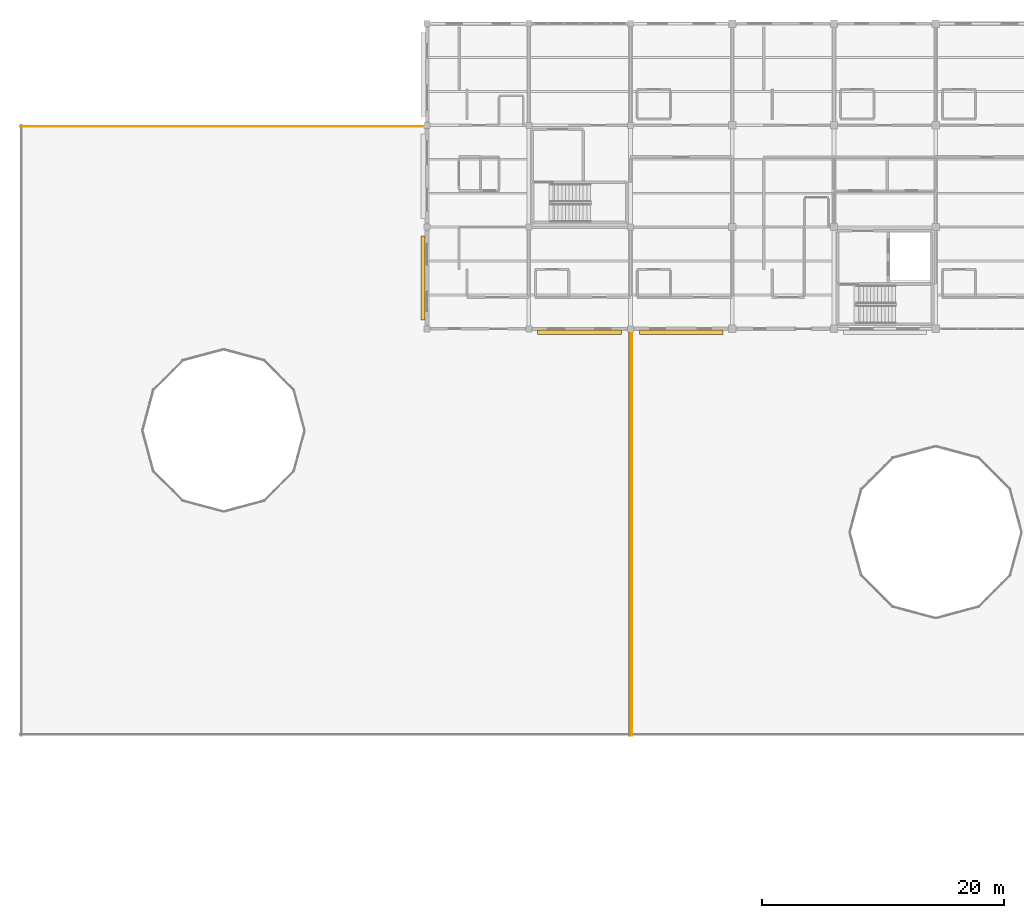
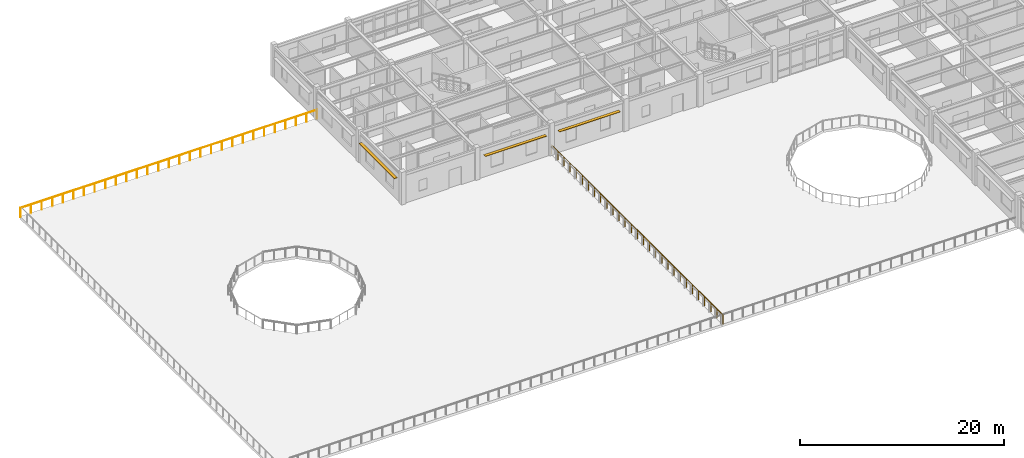
# One storey, part 76 of 86: 3 shading devices, 2 railings.
"""IFC4 building model written with IfcOpenShell, lengths in metres."""

import ifcopenshell
import ifcopenshell.guid

model = None  # the IFC model being written
_history = None  # IfcOwnerHistory: only IFC2X3 demands one
_inside = {}  # id of a spatial element -> (the spatial element, [elements in it])
_under = {}  # id of a project, library or spatial element -> (it, [spatial elements below it])
_declared = {}  # id of a project -> (the project, [libraries it declares])
_typed = {}  # id of a type object -> (the type object, [elements of that type])
_made_of = {}  # id of a material, layer set ... -> (it, [elements and type objects made of it])


def new_model(schema):
    """Start an empty IFC model of exactly this schema.

    Asked for "IFC4X3", IfcOpenShell would pick the latest addendum, in which some entities
    have other attributes; the version numbers below select the first issue.
    IFC2X3 requires an IfcOwnerHistory on every rooted entity: one is made here for all.
    """
    global model, _history
    if schema == "IFC4X3":
        model = ifcopenshell.file(schema_version=(4, 3, 0, 0))
    else:
        model = ifcopenshell.file(schema=schema)
    _inside.clear()
    _under.clear()
    _declared.clear()
    _typed.clear()
    _made_of.clear()
    _history = None
    if model.schema == "IFC2X3":
        org = make("IfcOrganization", Name="unknown")
        user = make(
            "IfcPersonAndOrganization",
            ThePerson=make("IfcPerson", FamilyName="unknown"),
            TheOrganization=org,
        )
        app = make(
            "IfcApplication",
            ApplicationDeveloper=org,
            Version="unknown",
            ApplicationFullName="unknown",
            ApplicationIdentifier="unknown",
        )
        _history = make(
            "IfcOwnerHistory",
            OwningUser=user,
            OwningApplication=app,
            ChangeAction="ADDED",
            CreationDate=0,
        )
    return model


def make(cls, **values):
    """One entity of the class cls with the attributes given. An attribute that is None is left unset."""
    return model.create_entity(
        cls, **{name: value for name, value in values.items() if value is not None}
    )


def rooted(cls, **values):
    """An entity with a GlobalId (a new one), such as an element, a storey or a relation."""
    return make(cls, GlobalId=ifcopenshell.guid.new(), OwnerHistory=_history, **values)


def si_unit(unit_type, name, prefix=None):
    """IfcSIUnit, for example si_unit("LENGTHUNIT", "METRE", prefix="MILLI")."""
    return make("IfcSIUnit", UnitType=unit_type, Prefix=prefix, Name=name)


def assignment(units):
    """IfcUnitAssignment: the units of a project."""
    return None if units is None else make("IfcUnitAssignment", Units=units)


def point(xyz):
    """IfcCartesianPoint."""
    return None if xyz is None else make("IfcCartesianPoint", Coordinates=xyz)


def direction(xyz):
    """IfcDirection."""
    return None if xyz is None else make("IfcDirection", DirectionRatios=xyz)


def frame(location, z_axis=None, x_axis=None):
    """IfcAxis2Placement3D, a coordinate frame: its origin and axes. An axis left out is left unset."""
    return make(
        "IfcAxis2Placement3D",
        Location=point(location),
        Axis=direction(z_axis),
        RefDirection=direction(x_axis),
    )


def frame_2d(location, x_axis=None):
    """IfcAxis2Placement2D, a coordinate frame in the plane: its origin and x axis."""
    return make(
        "IfcAxis2Placement2D", Location=point(location), RefDirection=direction(x_axis)
    )


def origin():
    """The frame at (0, 0, 0) with its axes left unset."""
    return frame((0.0, 0.0, 0.0))


def origin_2d():
    """The frame at (0, 0) in the plane with its x axis left unset."""
    return frame_2d((0.0, 0.0))


def place(relative_to, where):
    """IfcLocalPlacement: puts the frame where relative to a parent placement (None: the world)."""
    return make(
        "IfcLocalPlacement", PlacementRelTo=relative_to, RelativePlacement=where
    )


def context(
    kind, dimensions, precision=None, world=None, true_north=None, identifier=None
):
    """IfcGeometricRepresentationContext, for example the 3D "Model" context."""
    return make(
        "IfcGeometricRepresentationContext",
        ContextIdentifier=identifier,
        ContextType=kind,
        CoordinateSpaceDimension=dimensions,
        Precision=precision,
        WorldCoordinateSystem=world,
        TrueNorth=true_north,
    )


def subcontext(parent, identifier, kind, view, scale=None):
    """IfcGeometricRepresentationSubContext, for example "Body" below "Model"."""
    return make(
        "IfcGeometricRepresentationSubContext",
        ContextIdentifier=identifier,
        ContextType=kind,
        ParentContext=parent,
        TargetScale=scale,
        TargetView=view,
    )


def project(units=None, contexts=None):
    """IfcProject with its units and contexts."""
    return rooted(
        "IfcProject",
        Name="project",
        RepresentationContexts=contexts,
        UnitsInContext=assignment(units),
    )


def spatial(cls, under=None, at=None, **own):
    """A site, building, storey or space (cls), placed at a placement, below another one or the project."""
    s = rooted(cls, ObjectPlacement=at, **own)
    if under is not None:
        _under.setdefault(under.id(), (under, []))[1].append(s)
    return s


def profile(cls, at=None, kind="AREA", **sizes):
    """A parametric profile (cls). Its sizes go by their IFC names, for example OverallWidth=200.0."""
    return make(cls, ProfileType=kind, Position=at, **sizes)


def rectangle(**sizes):
    """IfcRectangleProfileDef."""
    return profile("IfcRectangleProfileDef", **sizes)


def circle(**sizes):
    """IfcCircleProfileDef."""
    return profile("IfcCircleProfileDef", **sizes)


def extrude(swept, where, along, depth):
    """IfcExtrudedAreaSolid: the profile swept, set in the frame where, extruded along a direction by depth."""
    return make(
        "IfcExtrudedAreaSolid",
        SweptArea=swept,
        Position=where,
        ExtrudedDirection=direction(along),
        Depth=depth,
    )


def shape(context_of_items, identifier, shape_type, items):
    """IfcShapeRepresentation: the items that make up one representation, for example the "Body"."""
    return make(
        "IfcShapeRepresentation",
        ContextOfItems=context_of_items,
        RepresentationIdentifier=identifier,
        RepresentationType=shape_type,
        Items=items,
    )


def material(Name=None, Category=None):
    """IfcMaterial."""
    return make("IfcMaterial", Name=Name, Category=Category)


def material_profile(
    of_material, cross_section, Name=None, Category=None, Priority=None
):
    """IfcMaterialProfile: a cross section and its material."""
    return make(
        "IfcMaterialProfile",
        Name=Name,
        Material=of_material,
        Profile=cross_section,
        Priority=Priority,
        Category=Category,
    )


def profile_set(profiles, Name=None, composite=None):
    """IfcMaterialProfileSet."""
    return make(
        "IfcMaterialProfileSet",
        Name=Name,
        MaterialProfiles=profiles,
        CompositeProfile=composite,
    )


def made_of(thing, what):
    """Note that an element or type object is made of a material, layer set ...; save() writes the relation."""
    if what is not None:
        _made_of.setdefault(what.id(), (what, []))[1].append(thing)
    return thing


def type_object(cls, material=None, **own):
    """A type object (cls), such as IfcWallType, which elements share."""
    return made_of(rooted(cls, **own), material)


def element(
    cls,
    number,
    at=None,
    inside=None,
    cuts=None,
    type_object=None,
    material=None,
    context=None,
    identifier="Body",
    shape_type=None,
    held_by="IfcProductDefinitionShape",
    body=None,
    shapes=None,
    **own,
):
    """One element of the class cls, such as IfcWall. Its Tag is "e" and its number.

    at: its placement. inside: the storey or other place that contains it. cuts: it is an
    opening in that element (IfcRelVoidsElement). A single representation is given by context,
    identifier, shape_type and body (its items); several are given by shapes. held_by: the class
    of the entity that holds the representations. save() writes the other relations.
    """
    e = rooted(cls, Tag="e%d" % number, ObjectPlacement=at, **own)
    if body is not None:
        shapes = [shape(context, identifier, shape_type, body)]
    if shapes is not None:
        e.Representation = make(held_by, Representations=shapes)
    if inside is not None:
        _inside.setdefault(inside.id(), (inside, []))[1].append(e)
    if cuts is not None:
        rooted(
            "IfcRelVoidsElement", RelatingBuildingElement=cuts, RelatedOpeningElement=e
        )
    if type_object is not None:
        _typed.setdefault(type_object.id(), (type_object, []))[1].append(e)
    return made_of(e, material)


def aggregate(whole, parts):
    """IfcRelAggregates: a whole, such as a stair, and the parts it consists of."""
    return rooted("IfcRelAggregates", RelatingObject=whole, RelatedObjects=parts)


def save(model, path):
    """Write the relations noted so far, then the file.

    IfcRelAggregates (storeys below a building ...), IfcRelContainedInSpatialStructure (elements
    in a storey), IfcRelDefinesByType, IfcRelAssociatesMaterial and IfcRelDeclares: one each for
    every whole, place, type object, material and project.
    """
    for whole, parts in _under.values():
        aggregate(whole, parts)
    for where, things in _inside.values():
        rooted(
            "IfcRelContainedInSpatialStructure",
            RelatedElements=things,
            RelatingStructure=where,
        )
    for kind, things in _typed.values():
        rooted("IfcRelDefinesByType", RelatedObjects=things, RelatingType=kind)
    for what, things in _made_of.values():
        rooted("IfcRelAssociatesMaterial", RelatedObjects=things, RelatingMaterial=what)
    for by, libraries in _declared.values():
        rooted("IfcRelDeclares", RelatingContext=by, RelatedDefinitions=libraries)
    model.write(path)


model = new_model("IFC4")

# Units and contexts
model_context = context("Model", 3, precision=1e-05, world=origin(), true_north=direction((0.0, 1.0)))
body_context = subcontext(model_context, "Body", "Model", "MODEL_VIEW")
ifc_project = project(units=[si_unit("LENGTHUNIT", "METRE"), si_unit("AREAUNIT", "SQUARE_METRE"), si_unit("VOLUMEUNIT", "CUBIC_METRE"), si_unit("PLANEANGLEUNIT", "RADIAN"), si_unit("MASSUNIT", "GRAM", prefix="KILO")], contexts=[model_context])

# Site, building, storey
site_placement = place(None, origin())
site = spatial("IfcSite", under=ifc_project, at=site_placement, CompositionType="ELEMENT")
building_placement = place(site_placement, origin())
building = spatial("IfcBuilding", under=site, at=building_placement, Name="Bramfleet General Hospital", CompositionType="ELEMENT")
storey_placement = place(building_placement, frame((0.0, 0.0, 18.60009765625)))
storey = spatial("IfcBuildingStorey", under=building, at=storey_placement, Name="L04", CompositionType="ELEMENT", Elevation=18.60009765625)

# Railings
ifc_material_1 = material(Name="Stainless steel 1.4401 safety balustrade", Category="steel")
railing_type = type_object("IfcRailingType", Name="RAIL-EXT-GUARD", PredefinedType="GUARDRAIL", material=ifc_material_1)
railing_1_placement = place(storey_placement, frame((8.409912109375, 109.10009765625, 0.0)))
element("IfcRailing", 1, at=railing_1_placement, inside=storey, type_object=railing_type, Name="L04 Safety Guard Rail 154", PredefinedType="GUARDRAIL", context=body_context, shape_type="SweptSolid", body=[
    extrude(circle(Radius=0.02392578125, at=origin_2d()), frame((0.0, 0.0, 1.076171875), z_axis=(1.0, 0.0, 0.0), x_axis=(0.0, 1.0, 0.0)), (0.0, 0.0, 1.0), 33.580078125),
    extrude(circle(Radius=0.02099609375, at=origin_2d()), origin(), (0.0, 0.0, 1.0), 1.052001953125),
    extrude(circle(Radius=0.02099609375, at=origin_2d()), frame((1.19921875, 0.0, 0.0)), (0.0, 0.0, 1.0), 1.052001953125),
    extrude(circle(Radius=0.02099609375, at=origin_2d()), frame((2.398681640625, 0.0, 0.0)), (0.0, 0.0, 1.0), 1.052001953125),
    extrude(circle(Radius=0.02099609375, at=origin_2d()), frame((3.597900390625, 0.0, 0.0)), (0.0, 0.0, 1.0), 1.052001953125),
    extrude(circle(Radius=0.02099609375, at=origin_2d()), frame((4.797119140625, 0.0, 0.0)), (0.0, 0.0, 1.0), 1.052001953125),
    extrude(circle(Radius=0.02099609375, at=origin_2d()), frame((5.996337890625, 0.0, 0.0)), (0.0, 0.0, 1.0), 1.052001953125),
    extrude(circle(Radius=0.02099609375, at=origin_2d()), frame((7.19580078125, 0.0, 0.0)), (0.0, 0.0, 1.0), 1.052001953125),
    extrude(circle(Radius=0.02099609375, at=origin_2d()), frame((8.39501953125, 0.0, 0.0)), (0.0, 0.0, 1.0), 1.052001953125),
    extrude(circle(Radius=0.02099609375, at=origin_2d()), frame((9.59423828125, 0.0, 0.0)), (0.0, 0.0, 1.0), 1.052001953125),
    extrude(circle(Radius=0.02099609375, at=origin_2d()), frame((10.793701171875, 0.0, 0.0)), (0.0, 0.0, 1.0), 1.052001953125),
    extrude(circle(Radius=0.02099609375, at=origin_2d()), frame((11.992919921875, 0.0, 0.0)), (0.0, 0.0, 1.0), 1.052001953125),
    extrude(circle(Radius=0.02099609375, at=origin_2d()), frame((13.192138671875, 0.0, 0.0)), (0.0, 0.0, 1.0), 1.052001953125),
    extrude(circle(Radius=0.02099609375, at=origin_2d()), frame((14.391357421875, 0.0, 0.0)), (0.0, 0.0, 1.0), 1.052001953125),
    extrude(circle(Radius=0.02099609375, at=origin_2d()), frame((15.5908203125, 0.0, 0.0)), (0.0, 0.0, 1.0), 1.052001953125),
    extrude(circle(Radius=0.02099609375, at=origin_2d()), frame((16.7900390625, 0.0, 0.0)), (0.0, 0.0, 1.0), 1.052001953125),
    extrude(circle(Radius=0.02099609375, at=origin_2d()), frame((17.9892578125, 0.0, 0.0)), (0.0, 0.0, 1.0), 1.052001953125),
    extrude(circle(Radius=0.02099609375, at=origin_2d()), frame((19.188720703125, 0.0, 0.0)), (0.0, 0.0, 1.0), 1.052001953125),
    extrude(circle(Radius=0.02099609375, at=origin_2d()), frame((20.387939453125, 0.0, 0.0)), (0.0, 0.0, 1.0), 1.052001953125),
    extrude(circle(Radius=0.02099609375, at=origin_2d()), frame((21.587158203125, 0.0, 0.0)), (0.0, 0.0, 1.0), 1.052001953125),
    extrude(circle(Radius=0.02099609375, at=origin_2d()), frame((22.786376953125, 0.0, 0.0)), (0.0, 0.0, 1.0), 1.052001953125),
    extrude(circle(Radius=0.02099609375, at=origin_2d()), frame((23.98583984375, 0.0, 0.0)), (0.0, 0.0, 1.0), 1.052001953125),
    extrude(circle(Radius=0.02099609375, at=origin_2d()), frame((25.18505859375, 0.0, 0.0)), (0.0, 0.0, 1.0), 1.052001953125),
    extrude(circle(Radius=0.02099609375, at=origin_2d()), frame((26.38427734375, 0.0, 0.0)), (0.0, 0.0, 1.0), 1.052001953125),
    extrude(circle(Radius=0.02099609375, at=origin_2d()), frame((27.583740234375, 0.0, 0.0)), (0.0, 0.0, 1.0), 1.052001953125),
    extrude(circle(Radius=0.02099609375, at=origin_2d()), frame((28.782958984375, 0.0, 0.0)), (0.0, 0.0, 1.0), 1.052001953125),
    extrude(circle(Radius=0.02099609375, at=origin_2d()), frame((29.982177734375, 0.0, 0.0)), (0.0, 0.0, 1.0), 1.052001953125),
    extrude(circle(Radius=0.02099609375, at=origin_2d()), frame((31.181396484375, 0.0, 0.0)), (0.0, 0.0, 1.0), 1.052001953125),
    extrude(circle(Radius=0.02099609375, at=origin_2d()), frame((32.380859375, 0.0, 0.0)), (0.0, 0.0, 1.0), 1.052001953125),
    extrude(circle(Radius=0.02099609375, at=origin_2d()), frame((33.580078125, 0.0, 0.0)), (0.0, 0.0, 1.0), 1.052001953125),
])
railing_2_placement = place(storey_placement, frame((58.89990234375, 58.81005859375, 0.0)))
element("IfcRailing", 2, at=railing_2_placement, inside=storey, type_object=railing_type, Name="L04 Safety Guard Rail 169", PredefinedType="GUARDRAIL", context=body_context, shape_type="SweptSolid", body=[
    extrude(circle(Radius=0.02392578125, at=origin_2d()), frame((0.0, 0.0, 1.076171875), z_axis=(0.0, 1.0, 0.0), x_axis=(-1.0, 0.0, 0.0)), (0.0, 0.0, 1.0), 33.579833984375),
    extrude(circle(Radius=0.02099609375, at=origin_2d()), origin(), (0.0, 0.0, 1.0), 1.052001953125),
    extrude(circle(Radius=0.02099609375, at=origin_2d()), frame((0.0, 1.19921875, 0.0)), (0.0, 0.0, 1.0), 1.052001953125),
    extrude(circle(Radius=0.02099609375, at=origin_2d()), frame((0.0, 2.3984375, 0.0)), (0.0, 0.0, 1.0), 1.052001953125),
    extrude(circle(Radius=0.02099609375, at=origin_2d()), frame((0.0, 3.597900390625, 0.0)), (0.0, 0.0, 1.0), 1.052001953125),
    extrude(circle(Radius=0.02099609375, at=origin_2d()), frame((0.0, 4.797119140625, 0.0)), (0.0, 0.0, 1.0), 1.052001953125),
    extrude(circle(Radius=0.02099609375, at=origin_2d()), frame((0.0, 5.996337890625, 0.0)), (0.0, 0.0, 1.0), 1.052001953125),
    extrude(circle(Radius=0.02099609375, at=origin_2d()), frame((0.0, 7.19580078125, 0.0)), (0.0, 0.0, 1.0), 1.052001953125),
    extrude(circle(Radius=0.02099609375, at=origin_2d()), frame((0.0, 8.39501953125, 0.0)), (0.0, 0.0, 1.0), 1.052001953125),
    extrude(circle(Radius=0.02099609375, at=origin_2d()), frame((0.0, 9.59423828125, 0.0)), (0.0, 0.0, 1.0), 1.052001953125),
    extrude(circle(Radius=0.02099609375, at=origin_2d()), frame((0.0, 10.79345703125, 0.0)), (0.0, 0.0, 1.0), 1.052001953125),
    extrude(circle(Radius=0.02099609375, at=origin_2d()), frame((0.0, 11.99267578125, 0.0)), (0.0, 0.0, 1.0), 1.052001953125),
    extrude(circle(Radius=0.02099609375, at=origin_2d()), frame((0.0, 13.192138671875, 0.0)), (0.0, 0.0, 1.0), 1.052001953125),
    extrude(circle(Radius=0.02099609375, at=origin_2d()), frame((0.0, 14.391357421875, 0.0)), (0.0, 0.0, 1.0), 1.052001953125),
    extrude(circle(Radius=0.02099609375, at=origin_2d()), frame((0.0, 15.590576171875, 0.0)), (0.0, 0.0, 1.0), 1.052001953125),
    extrude(circle(Radius=0.02099609375, at=origin_2d()), frame((0.0, 16.7900390625, 0.0)), (0.0, 0.0, 1.0), 1.052001953125),
    extrude(circle(Radius=0.02099609375, at=origin_2d()), frame((0.0, 17.9892578125, 0.0)), (0.0, 0.0, 1.0), 1.052001953125),
    extrude(circle(Radius=0.02099609375, at=origin_2d()), frame((0.0, 19.1884765625, 0.0)), (0.0, 0.0, 1.0), 1.052001953125),
    extrude(circle(Radius=0.02099609375, at=origin_2d()), frame((0.0, 20.3876953125, 0.0)), (0.0, 0.0, 1.0), 1.052001953125),
    extrude(circle(Radius=0.02099609375, at=origin_2d()), frame((0.0, 21.5869140625, 0.0)), (0.0, 0.0, 1.0), 1.052001953125),
    extrude(circle(Radius=0.02099609375, at=origin_2d()), frame((0.0, 22.786376953125, 0.0)), (0.0, 0.0, 1.0), 1.052001953125),
    extrude(circle(Radius=0.02099609375, at=origin_2d()), frame((0.0, 23.985595703125, 0.0)), (0.0, 0.0, 1.0), 1.052001953125),
    extrude(circle(Radius=0.02099609375, at=origin_2d()), frame((0.0, 25.184814453125, 0.0)), (0.0, 0.0, 1.0), 1.052001953125),
    extrude(circle(Radius=0.02099609375, at=origin_2d()), frame((0.0, 26.38427734375, 0.0)), (0.0, 0.0, 1.0), 1.052001953125),
    extrude(circle(Radius=0.02099609375, at=origin_2d()), frame((0.0, 27.58349609375, 0.0)), (0.0, 0.0, 1.0), 1.052001953125),
    extrude(circle(Radius=0.02099609375, at=origin_2d()), frame((0.0, 28.78271484375, 0.0)), (0.0, 0.0, 1.0), 1.052001953125),
    extrude(circle(Radius=0.02099609375, at=origin_2d()), frame((0.0, 29.98193359375, 0.0)), (0.0, 0.0, 1.0), 1.052001953125),
    extrude(circle(Radius=0.02099609375, at=origin_2d()), frame((0.0, 31.18115234375, 0.0)), (0.0, 0.0, 1.0), 1.052001953125),
    extrude(circle(Radius=0.02099609375, at=origin_2d()), frame((0.0, 32.380615234375, 0.0)), (0.0, 0.0, 1.0), 1.052001953125),
    extrude(circle(Radius=0.02099609375, at=origin_2d()), frame((0.0, 33.579833984375, 0.0)), (0.0, 0.0, 1.0), 1.052001953125),
])

# Shading devices
ifc_material_2 = material(Name="Anodised aluminium EN AW-6063", Category="aluminium")
ifc_material_profile = material_profile(ifc_material_2, rectangle(XDim=0.050048828125, YDim=0.35009765625, at=origin_2d()), Name="ALU LOUVRE 350x50")
ifc_profile_set = profile_set([ifc_material_profile], Name="Anodised aluminium EN AW-6063")
shading_device_type = type_object("IfcShadingDeviceType", Name="SHD-LVR-350", PredefinedType="USERDEFINED", material=ifc_profile_set)
shading_device_placement = place(storey_placement, frame((66.425048828125, 92.107421875, 2.669921875), z_axis=(-1.0, 0.0, 0.0), x_axis=(0.0, 0.0, 1.0)))
element("IfcShadingDevice", 3, at=shading_device_placement, inside=storey, type_object=shading_device_type, Name="L04 Solar Shading Louvre 2", ObjectType="Louvre", PredefinedType="USERDEFINED", context=body_context, shape_type="SweptSolid", body=[
    extrude(rectangle(XDim=0.050048828125, YDim=0.35009765625, at=origin_2d()), origin(), (0.0, 0.0, 1.0), 6.900146484375),
])
for number, where, z_axis, x_axis, name in (
    (4, (58.074951171875, 92.114990234375, 2.669921875), (-1.0, 0.0, 0.0), (0.0, 0.0, 1.0), "L04 Solar Shading Louvre 3"),
    (5, (41.672607421875, 93.125, 2.669921875), (0.0, 1.0, 0.0), (0.0, 0.0, 1.0), "L04 Solar Shading Louvre 4"),
):
    element("IfcShadingDevice", number, at=place(storey_placement, frame(where, z_axis=z_axis, x_axis=x_axis)), inside=storey, type_object=shading_device_type, Name=name, ObjectType="Louvre", PredefinedType="USERDEFINED", context=body_context, shape_type="SweptSolid", body=[
        extrude(rectangle(XDim=0.050048828125, YDim=0.35009765625, at=origin_2d()), origin(), (0.0, 0.0, 1.0), 6.949951171875),
    ])

save(model, "model.ifc")
